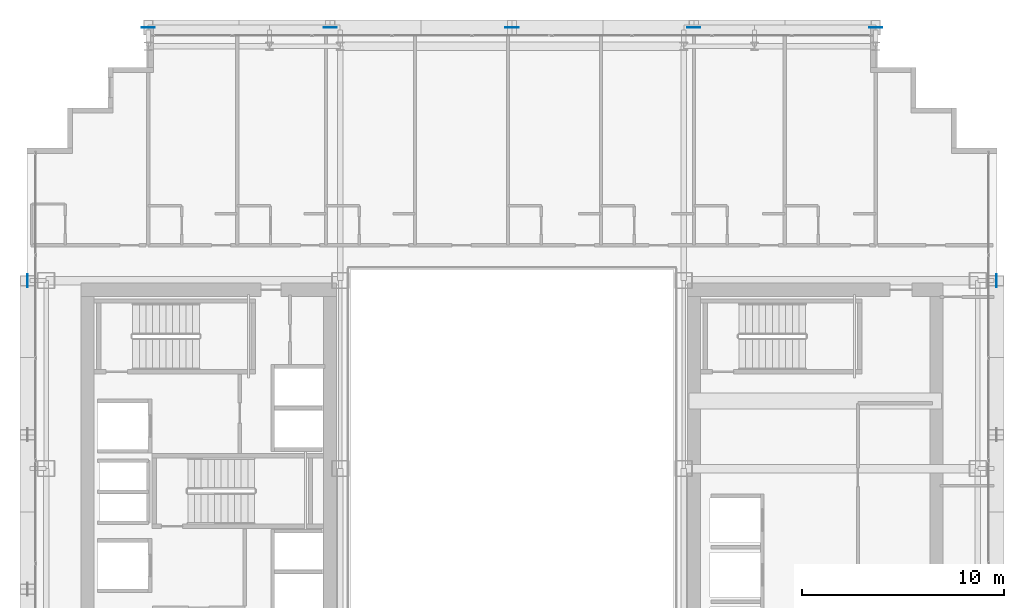
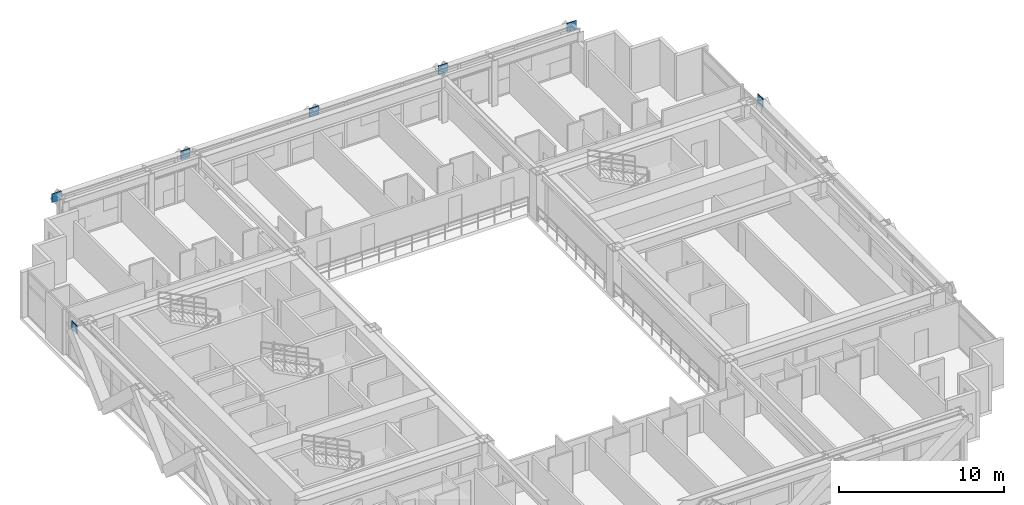
# One storey, part 26 of 36: 7 plates.
"""IFC4 building model written with IfcOpenShell, lengths in metres."""

import ifcopenshell
import ifcopenshell.guid

model = None  # the IFC model being written
_history = None  # IfcOwnerHistory: only IFC2X3 demands one
_inside = {}  # id of a spatial element -> (the spatial element, [elements in it])
_under = {}  # id of a project, library or spatial element -> (it, [spatial elements below it])
_declared = {}  # id of a project -> (the project, [libraries it declares])
_typed = {}  # id of a type object -> (the type object, [elements of that type])
_made_of = {}  # id of a material, layer set ... -> (it, [elements and type objects made of it])


def new_model(schema):
    """Start an empty IFC model of exactly this schema.

    Asked for "IFC4X3", IfcOpenShell would pick the latest addendum, in which some entities
    have other attributes; the version numbers below select the first issue.
    IFC2X3 requires an IfcOwnerHistory on every rooted entity: one is made here for all.
    """
    global model, _history
    if schema == "IFC4X3":
        model = ifcopenshell.file(schema_version=(4, 3, 0, 0))
    else:
        model = ifcopenshell.file(schema=schema)
    _inside.clear()
    _under.clear()
    _declared.clear()
    _typed.clear()
    _made_of.clear()
    _history = None
    if model.schema == "IFC2X3":
        org = make("IfcOrganization", Name="unknown")
        user = make(
            "IfcPersonAndOrganization",
            ThePerson=make("IfcPerson", FamilyName="unknown"),
            TheOrganization=org,
        )
        app = make(
            "IfcApplication",
            ApplicationDeveloper=org,
            Version="unknown",
            ApplicationFullName="unknown",
            ApplicationIdentifier="unknown",
        )
        _history = make(
            "IfcOwnerHistory",
            OwningUser=user,
            OwningApplication=app,
            ChangeAction="ADDED",
            CreationDate=0,
        )
    return model


def make(cls, **values):
    """One entity of the class cls with the attributes given. An attribute that is None is left unset."""
    return model.create_entity(
        cls, **{name: value for name, value in values.items() if value is not None}
    )


def rooted(cls, **values):
    """An entity with a GlobalId (a new one), such as an element, a storey or a relation."""
    return make(cls, GlobalId=ifcopenshell.guid.new(), OwnerHistory=_history, **values)


def si_unit(unit_type, name, prefix=None):
    """IfcSIUnit, for example si_unit("LENGTHUNIT", "METRE", prefix="MILLI")."""
    return make("IfcSIUnit", UnitType=unit_type, Prefix=prefix, Name=name)


def assignment(units):
    """IfcUnitAssignment: the units of a project."""
    return None if units is None else make("IfcUnitAssignment", Units=units)


def point(xyz):
    """IfcCartesianPoint."""
    return None if xyz is None else make("IfcCartesianPoint", Coordinates=xyz)


def direction(xyz):
    """IfcDirection."""
    return None if xyz is None else make("IfcDirection", DirectionRatios=xyz)


def frame(location, z_axis=None, x_axis=None):
    """IfcAxis2Placement3D, a coordinate frame: its origin and axes. An axis left out is left unset."""
    return make(
        "IfcAxis2Placement3D",
        Location=point(location),
        Axis=direction(z_axis),
        RefDirection=direction(x_axis),
    )


def frame_2d(location, x_axis=None):
    """IfcAxis2Placement2D, a coordinate frame in the plane: its origin and x axis."""
    return make(
        "IfcAxis2Placement2D", Location=point(location), RefDirection=direction(x_axis)
    )


def origin():
    """The frame at (0, 0, 0) with its axes left unset."""
    return frame((0.0, 0.0, 0.0))


def origin_2d():
    """The frame at (0, 0) in the plane with its x axis left unset."""
    return frame_2d((0.0, 0.0))


def place(relative_to, where):
    """IfcLocalPlacement: puts the frame where relative to a parent placement (None: the world)."""
    return make(
        "IfcLocalPlacement", PlacementRelTo=relative_to, RelativePlacement=where
    )


def context(
    kind, dimensions, precision=None, world=None, true_north=None, identifier=None
):
    """IfcGeometricRepresentationContext, for example the 3D "Model" context."""
    return make(
        "IfcGeometricRepresentationContext",
        ContextIdentifier=identifier,
        ContextType=kind,
        CoordinateSpaceDimension=dimensions,
        Precision=precision,
        WorldCoordinateSystem=world,
        TrueNorth=true_north,
    )


def subcontext(parent, identifier, kind, view, scale=None):
    """IfcGeometricRepresentationSubContext, for example "Body" below "Model"."""
    return make(
        "IfcGeometricRepresentationSubContext",
        ContextIdentifier=identifier,
        ContextType=kind,
        ParentContext=parent,
        TargetScale=scale,
        TargetView=view,
    )


def project(units=None, contexts=None):
    """IfcProject with its units and contexts."""
    return rooted(
        "IfcProject",
        Name="project",
        RepresentationContexts=contexts,
        UnitsInContext=assignment(units),
    )


def spatial(cls, under=None, at=None, **own):
    """A site, building, storey or space (cls), placed at a placement, below another one or the project."""
    s = rooted(cls, ObjectPlacement=at, **own)
    if under is not None:
        _under.setdefault(under.id(), (under, []))[1].append(s)
    return s


def profile(cls, at=None, kind="AREA", **sizes):
    """A parametric profile (cls). Its sizes go by their IFC names, for example OverallWidth=200.0."""
    return make(cls, ProfileType=kind, Position=at, **sizes)


def rectangle(**sizes):
    """IfcRectangleProfileDef."""
    return profile("IfcRectangleProfileDef", **sizes)


def extrude(swept, where, along, depth):
    """IfcExtrudedAreaSolid: the profile swept, set in the frame where, extruded along a direction by depth."""
    return make(
        "IfcExtrudedAreaSolid",
        SweptArea=swept,
        Position=where,
        ExtrudedDirection=direction(along),
        Depth=depth,
    )


def shape(context_of_items, identifier, shape_type, items):
    """IfcShapeRepresentation: the items that make up one representation, for example the "Body"."""
    return make(
        "IfcShapeRepresentation",
        ContextOfItems=context_of_items,
        RepresentationIdentifier=identifier,
        RepresentationType=shape_type,
        Items=items,
    )


def source(mapping_origin, context_of_items, identifier, shape_type, items):
    """IfcRepresentationMap: a shape defined once, which mapped items show again and again."""
    return make(
        "IfcRepresentationMap",
        MappingOrigin=mapping_origin,
        MappedRepresentation=shape(context_of_items, identifier, shape_type, items),
    )


def transform(
    local_origin,
    x_axis=None,
    y_axis=None,
    z_axis=None,
    scale=None,
    scale2=None,
    scale3=None,
    uniform=True,
):
    """IfcCartesianTransformationOperator3D, or its non-uniform kind. x_axis, y_axis, z_axis: its Axis1, 2, 3."""
    if uniform:
        return make(
            "IfcCartesianTransformationOperator3D",
            Axis1=direction(x_axis),
            Axis2=direction(y_axis),
            LocalOrigin=point(local_origin),
            Scale=scale,
            Axis3=direction(z_axis),
        )
    return make(
        "IfcCartesianTransformationOperator3DnonUniform",
        Axis1=direction(x_axis),
        Axis2=direction(y_axis),
        LocalOrigin=point(local_origin),
        Scale=scale,
        Axis3=direction(z_axis),
        Scale2=scale2,
        Scale3=scale3,
    )


def mapped(mapping_source, mapping_target):
    """IfcMappedItem: shows the shape of a source again, moved by a transform."""
    return make(
        "IfcMappedItem", MappingSource=mapping_source, MappingTarget=mapping_target
    )


def material(Name=None, Category=None):
    """IfcMaterial."""
    return make("IfcMaterial", Name=Name, Category=Category)


def layer(
    of_material, thickness, ventilated=None, Name=None, Category=None, Priority=None
):
    """IfcMaterialLayer: one layer of a wall or slab, of a material (None: an air gap)."""
    return make(
        "IfcMaterialLayer",
        Material=of_material,
        LayerThickness=thickness,
        IsVentilated=ventilated,
        Name=Name,
        Category=Category,
        Priority=Priority,
    )


def layer_set(layers, Name=None):
    """IfcMaterialLayerSet."""
    return make("IfcMaterialLayerSet", MaterialLayers=layers, LayerSetName=Name)


def made_of(thing, what):
    """Note that an element or type object is made of a material, layer set ...; save() writes the relation."""
    if what is not None:
        _made_of.setdefault(what.id(), (what, []))[1].append(thing)
    return thing


def type_object(cls, material=None, **own):
    """A type object (cls), such as IfcWallType, which elements share."""
    return made_of(rooted(cls, **own), material)


def element(
    cls,
    number,
    at=None,
    inside=None,
    cuts=None,
    type_object=None,
    material=None,
    context=None,
    identifier="Body",
    shape_type=None,
    held_by="IfcProductDefinitionShape",
    body=None,
    shapes=None,
    **own,
):
    """One element of the class cls, such as IfcWall. Its Tag is "e" and its number.

    at: its placement. inside: the storey or other place that contains it. cuts: it is an
    opening in that element (IfcRelVoidsElement). A single representation is given by context,
    identifier, shape_type and body (its items); several are given by shapes. held_by: the class
    of the entity that holds the representations. save() writes the other relations.
    """
    e = rooted(cls, Tag="e%d" % number, ObjectPlacement=at, **own)
    if body is not None:
        shapes = [shape(context, identifier, shape_type, body)]
    if shapes is not None:
        e.Representation = make(held_by, Representations=shapes)
    if inside is not None:
        _inside.setdefault(inside.id(), (inside, []))[1].append(e)
    if cuts is not None:
        rooted(
            "IfcRelVoidsElement", RelatingBuildingElement=cuts, RelatedOpeningElement=e
        )
    if type_object is not None:
        _typed.setdefault(type_object.id(), (type_object, []))[1].append(e)
    return made_of(e, material)


def aggregate(whole, parts):
    """IfcRelAggregates: a whole, such as a stair, and the parts it consists of."""
    return rooted("IfcRelAggregates", RelatingObject=whole, RelatedObjects=parts)


def save(model, path):
    """Write the relations noted so far, then the file.

    IfcRelAggregates (storeys below a building ...), IfcRelContainedInSpatialStructure (elements
    in a storey), IfcRelDefinesByType, IfcRelAssociatesMaterial and IfcRelDeclares: one each for
    every whole, place, type object, material and project.
    """
    for whole, parts in _under.values():
        aggregate(whole, parts)
    for where, things in _inside.values():
        rooted(
            "IfcRelContainedInSpatialStructure",
            RelatedElements=things,
            RelatingStructure=where,
        )
    for kind, things in _typed.values():
        rooted("IfcRelDefinesByType", RelatedObjects=things, RelatingType=kind)
    for what, things in _made_of.values():
        rooted("IfcRelAssociatesMaterial", RelatedObjects=things, RelatingMaterial=what)
    for by, libraries in _declared.values():
        rooted("IfcRelDeclares", RelatingContext=by, RelatedDefinitions=libraries)
    model.write(path)


model = new_model("IFC4")

# Units and contexts
model_context = context("Model", 3, precision=1e-05, world=origin(), true_north=direction((0.0, 1.0)))
body_context = subcontext(model_context, "Body", "Model", "MODEL_VIEW")
ifc_project = project(units=[si_unit("LENGTHUNIT", "METRE"), si_unit("AREAUNIT", "SQUARE_METRE"), si_unit("VOLUMEUNIT", "CUBIC_METRE"), si_unit("PLANEANGLEUNIT", "RADIAN"), si_unit("MASSUNIT", "GRAM", prefix="KILO")], contexts=[model_context])

# Site, building, storey
site_placement = place(None, origin())
site = spatial("IfcSite", under=ifc_project, at=site_placement, CompositionType="ELEMENT")
building_placement = place(site_placement, origin())
building = spatial("IfcBuilding", under=site, at=building_placement, Name="Ocotamira Hotel", CompositionType="ELEMENT")
storey_placement = place(building_placement, frame((0.0, 0.0, 129.60009765625)))
storey = spatial("IfcBuildingStorey", under=building, at=storey_placement, Name="L32", CompositionType="ELEMENT", Elevation=129.60009765625)

# Plates
ifc_material = material(Name="Pale-metal coated steel ASTM A572 Grade 50", Category="steel")
ifc_layer = layer(ifc_material, 0.0400390625)
ifc_layer_set = layer_set([ifc_layer], Name="Pale-metal coated steel ASTM A572 Grade 50")
plate_type = type_object("IfcPlateType", Name="PLT-GUSSET-40", PredefinedType="SHEET", material=ifc_layer_set)
shared_shape_1 = source(origin(), body_context, "Body", "SweptSolid", [
    extrude(rectangle(XDim=0.64990234375, YDim=0.0400390625, at=origin_2d()), origin(), (0.0, 0.0, 1.0), 0.64990234375),
])
for number, where, z_axis, x_axis, name in (
    (1, (14.0, 49.969970703125, 2.784912109375), (0.0, 0.0, 1.0), (-1.0, 0.0, 0.0), "L32 Exoskeleton Diagrid N0.1 End Gusset B"),
    (2, (23.0, 49.969970703125, 2.784912109375), (0.0, 0.0, 1.0), (1.0, 0.0, 0.0), "L32 Exoskeleton Diagrid N0.2 End Gusset B"),
    (3, (32.0, 49.969970703125, 2.784912109375), (0.0, 0.0, 1.0), (1.0, 0.0, 0.0), "L32 Exoskeleton Diagrid N1.2 End Gusset B"),
    (4, (41.0, 49.969970703125, 2.784912109375), (0.0, 0.0, 1.0), (1.0, 0.0, 0.0), "L32 Exoskeleton Diagrid N2.2 End Gusset B"),
    (5, (50.0, 49.969970703125, 2.784912109375), (0.0, 0.0, 1.0), (1.0, 0.0, 0.0), "L32 Exoskeleton Diagrid N3.2 End Gusset B"),
):
    element("IfcPlate", number, at=place(storey_placement, frame(where, z_axis=z_axis, x_axis=x_axis)), inside=storey, type_object=plate_type, Name=name, PredefinedType="SHEET", context=body_context, shape_type="MappedRepresentation", body=[
        mapped(shared_shape_1, transform((0.0, 0.0, 0.0), scale=1.0)),
    ])
shared_shape_2 = source(origin(), body_context, "Body", "SweptSolid", [
    extrude(rectangle(XDim=0.0400390625, YDim=0.64990234375, at=origin_2d()), origin(), (0.0, 0.0, 1.0), 0.64990234375),
])
for number, where, z_axis, x_axis, name in (
    (6, (8.030029296875, 37.449951171875, 2.784912109375), (0.0, 0.0, 1.0), (1.0, 0.0, 0.0), "L32 Exoskeleton Diagrid W2.2 End Gusset B"),
    (7, (55.969970703125, 37.449951171875, 2.784912109375), (0.0, 0.0, 1.0), (1.0, 0.0, 0.0), "L32 Exoskeleton Diagrid E2.2 End Gusset B"),
):
    element("IfcPlate", number, at=place(storey_placement, frame(where, z_axis=z_axis, x_axis=x_axis)), inside=storey, type_object=plate_type, Name=name, PredefinedType="SHEET", context=body_context, shape_type="MappedRepresentation", body=[
        mapped(shared_shape_2, transform((0.0, 0.0, 0.0), scale=1.0)),
    ])

save(model, "model.ifc")
